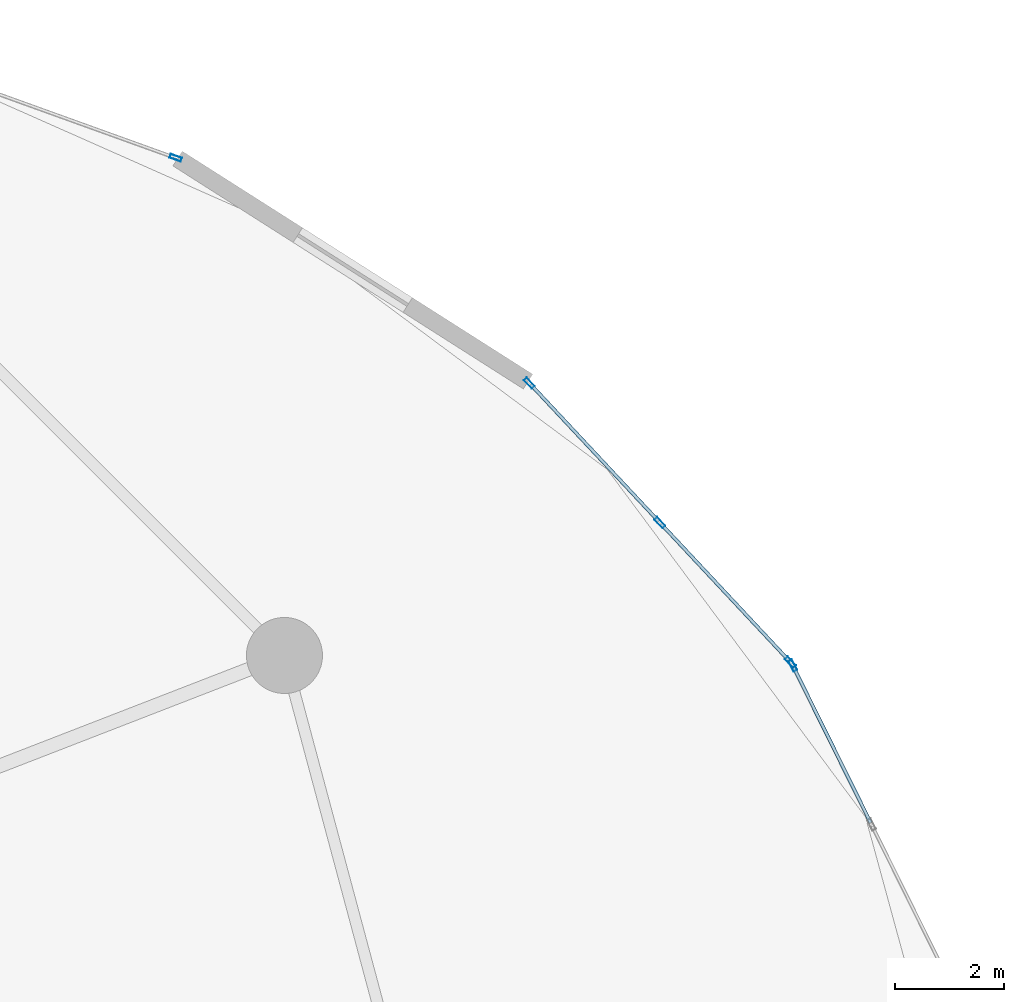
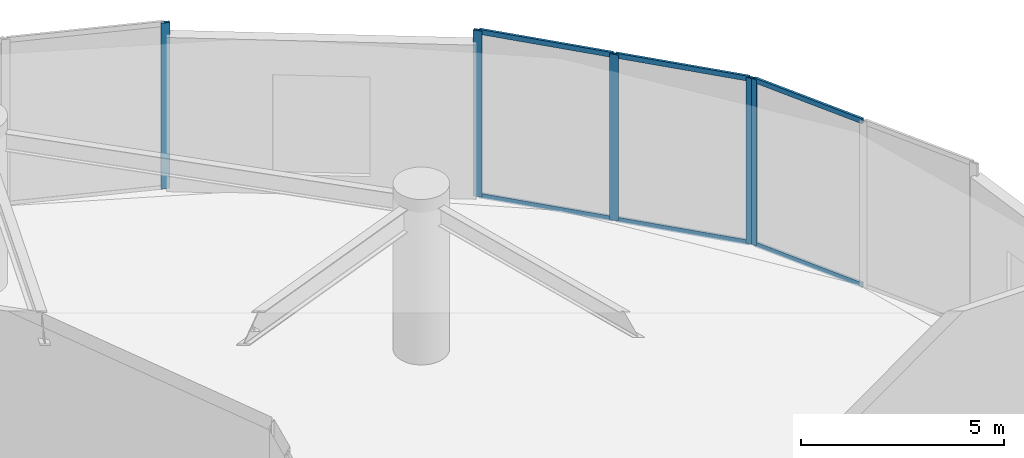
# One storey, part 21 of 31: 11 members, 3 elements without a shape of their own.
"""IFC4 building model written with IfcOpenShell, lengths in metres."""

from ifc_helpers import new_model, si_unit, direction, frame, origin, origin_2d, place, context, subcontext, project, spatial, hollow_rectangle, extrude, source, transform, mapped, material, layer, layer_set, material_profile, profile_set, type_object, element, aggregate, save


model = new_model("IFC4")

# Units and contexts
model_context = context("Model", 3, precision=1e-05, world=origin(), true_north=direction((0.0, 1.0)))
body_context = subcontext(model_context, "Body", "Model", "MODEL_VIEW")
ifc_project = project(units=[si_unit("LENGTHUNIT", "METRE"), si_unit("AREAUNIT", "SQUARE_METRE"), si_unit("VOLUMEUNIT", "CUBIC_METRE"), si_unit("PLANEANGLEUNIT", "RADIAN"), si_unit("MASSUNIT", "GRAM", prefix="KILO")], contexts=[model_context])

# Site, building, storey
site_placement = place(None, origin())
site = spatial("IfcSite", under=ifc_project, at=site_placement, CompositionType="ELEMENT")
building_placement = place(site_placement, origin())
building = spatial("IfcBuilding", under=site, at=building_placement, Name="Solvirekh Grand Hotel", CompositionType="ELEMENT")
storey_placement = place(building_placement, frame((0.0, 0.0, 18.60009765625)))
storey = spatial("IfcBuildingStorey", under=building, at=storey_placement, Name="L03", CompositionType="ELEMENT", Elevation=18.60009765625)

# Curtain wall, members
ifc_material = material(Name="Anodized Bronze Aluminium 6063-T6", Category="aluminium")
ifc_layer = layer(ifc_material, 0.219970703125)
ifc_layer_set = layer_set([ifc_layer], Name="Anodized Bronze Aluminium 6063-T6")
curtain_wall_type = type_object("IfcCurtainWallType", Name="CW_Sys1_PodiumBronzeUnitised", PredefinedType="NOTDEFINED", material=ifc_layer_set)
curtain_wall_1_placement = place(storey_placement, origin())
curtain_wall_1 = element("IfcCurtainWall", 1, at=curtain_wall_1_placement, inside=storey, type_object=curtain_wall_type, Name="L03 unitised bronze-glass curtain wall CW-L03-C02", PredefinedType="NOTDEFINED")
ifc_material_profile_1 = material_profile(ifc_material, hollow_rectangle(XDim=0.06494140625, YDim=0.14990234375, WallThickness=0.0048828125, at=origin_2d()), Name="ALU RHS 150X65X5")
ifc_profile_set_1 = profile_set([ifc_material_profile_1], Name="Anodized Bronze Aluminium 6063-T6")
member_type_1 = type_object("IfcMemberType", Name="CWTransom_Sys1", PredefinedType="USERDEFINED", material=ifc_profile_set_1)
shared_shape_1 = source(origin(), body_context, "Body", "SweptSolid", [
    extrude(hollow_rectangle(XDim=0.06494140625, YDim=0.14990234375, WallThickness=0.0048828125, at=origin_2d()), origin(), (0.0, 0.0, 1.0), 3.193603515625),
])
member_1_placement = place(storey_placement, frame((29.671875, 7.821044921875, 0.032470703125), z_axis=(-0.443846799093, 0.896102683254, 0.0), x_axis=(-0.896102683254, -0.443846799093, 0.0)))
member_1 = element("IfcMember", 2, at=member_1_placement, type_object=member_type_1, Name="U01 transom 2.1", ObjectType="TRANSOM", PredefinedType="USERDEFINED", context=body_context, shape_type="MappedRepresentation", body=[
    mapped(shared_shape_1, transform((0.0, 0.0, 0.0), x_axis=(1.0, 0.0, 0.0), y_axis=(0.0, 1.0, 0.0), z_axis=(0.0, 0.0, 1.0), scale=1.0)),
])
member_2_placement = place(storey_placement, frame((29.671875, 7.821044921875, 4.96728515625), z_axis=(-0.443846799093, 0.896102683254, 0.0), x_axis=(-0.896102683254, -0.443846799093, 0.0)))
member_2 = element("IfcMember", 3, at=member_2_placement, type_object=member_type_1, Name="U01 transom 2.2", ObjectType="TRANSOM", PredefinedType="USERDEFINED", context=body_context, shape_type="MappedRepresentation", body=[
    mapped(shared_shape_1, transform((0.0, 0.0, 0.0), x_axis=(1.0, 0.0, 0.0), y_axis=(0.0, 1.0, 0.0), z_axis=(0.0, 0.0, 1.0), scale=1.0)),
])

curtain_wall_2_placement = place(storey_placement, origin())
curtain_wall_2 = element("IfcCurtainWall", 4, at=curtain_wall_2_placement, inside=storey, type_object=curtain_wall_type, Name="L03 unitised bronze-glass curtain wall CW-L03-C03", PredefinedType="NOTDEFINED")
shared_shape_2 = source(origin(), body_context, "Body", "SweptSolid", [
    extrude(hollow_rectangle(XDim=0.06494140625, YDim=0.14990234375, WallThickness=0.0048828125, at=origin_2d()), origin(), (0.0, 0.0, 1.0), 3.443115234375),
])
member_3_placement = place(storey_placement, frame((28.169677734375, 10.8046875, 0.032470703125), z_axis=(-0.68313639099, 0.730290812831, 0.0), x_axis=(-0.730290812831, -0.68313639099, 0.0)))
member_3 = element("IfcMember", 5, at=member_3_placement, type_object=member_type_1, Name="U01 transom 1.1", ObjectType="TRANSOM", PredefinedType="USERDEFINED", context=body_context, shape_type="MappedRepresentation", body=[
    mapped(shared_shape_2, transform((0.0, 0.0, 0.0), x_axis=(1.0, 0.0, 0.0), y_axis=(0.0, 1.0, 0.0), z_axis=(0.0, 0.0, 1.0), scale=1.0)),
])
member_4_placement = place(storey_placement, frame((28.169677734375, 10.8046875, 4.96728515625), z_axis=(-0.68313639099, 0.730290812831, 0.0), x_axis=(-0.730290812831, -0.68313639099, 0.0)))
member_4 = element("IfcMember", 6, at=member_4_placement, type_object=member_type_1, Name="U01 transom 1.2", ObjectType="TRANSOM", PredefinedType="USERDEFINED", context=body_context, shape_type="MappedRepresentation", body=[
    mapped(shared_shape_2, transform((0.0, 0.0, 0.0), x_axis=(1.0, 0.0, 0.0), y_axis=(0.0, 1.0, 0.0), z_axis=(0.0, 0.0, 1.0), scale=1.0)),
])
member_5_placement = place(storey_placement, frame((25.766357421875, 13.373779296875, 0.032470703125), z_axis=(-0.68313639099, 0.730290812831, 0.0), x_axis=(-0.730290812831, -0.68313639099, 0.0)))
member_5 = element("IfcMember", 7, at=member_5_placement, type_object=member_type_1, Name="U01 transom 2.1", ObjectType="TRANSOM", PredefinedType="USERDEFINED", context=body_context, shape_type="MappedRepresentation", body=[
    mapped(shared_shape_2, transform((0.0, 0.0, 0.0), x_axis=(1.0, 0.0, 0.0), y_axis=(0.0, 1.0, 0.0), z_axis=(0.0, 0.0, 1.0), scale=1.0)),
])
member_6_placement = place(storey_placement, frame((25.766357421875, 13.373779296875, 4.96728515625), z_axis=(-0.68313639099, 0.730290812831, 0.0), x_axis=(-0.730290812831, -0.68313639099, 0.0)))
member_6 = element("IfcMember", 8, at=member_6_placement, type_object=member_type_1, Name="U01 transom 2.2", ObjectType="TRANSOM", PredefinedType="USERDEFINED", context=body_context, shape_type="MappedRepresentation", body=[
    mapped(shared_shape_2, transform((0.0, 0.0, 0.0), x_axis=(1.0, 0.0, 0.0), y_axis=(0.0, 1.0, 0.0), z_axis=(0.0, 0.0, 1.0), scale=1.0)),
])

# Member
ifc_material_profile_2 = material_profile(ifc_material, hollow_rectangle(XDim=0.074951171875, YDim=0.219970703125, WallThickness=0.006103515625, at=origin_2d()), Name="ALU RHS 220X75X6")
ifc_profile_set_2 = profile_set([ifc_material_profile_2], Name="Anodized Bronze Aluminium 6063-T6")
member_type_2 = type_object("IfcMemberType", Name="CWMullion_Sys1", PredefinedType="MULLION", material=ifc_profile_set_2)
shared_shape_3 = source(origin(), body_context, "Body", "SweptSolid", [
    extrude(hollow_rectangle(XDim=0.074951171875, YDim=0.219970703125, WallThickness=0.006103515625, at=origin_2d()), origin(), (0.0, 0.0, 1.0), 5.0),
])
member_7_placement = place(storey_placement, frame((28.237548828125, 10.71630859375, 0.0), z_axis=(0.0, 0.0, 1.0), x_axis=(-0.896084619407, -0.443883267157, 0.0)))
member_7 = element("IfcMember", 9, at=member_7_placement, type_object=member_type_2, Name="U01 mullion 3", PredefinedType="MULLION", context=body_context, shape_type="MappedRepresentation", body=[
    mapped(shared_shape_3, transform((0.0, 0.0, 0.0), x_axis=(1.0, 0.0, 0.0), y_axis=(0.0, 1.0, 0.0), z_axis=(0.0, 0.0, 1.0), scale=1.0)),
])

aggregate(curtain_wall_1, [member_7, member_1, member_2])

member_8_placement = place(storey_placement, frame((28.1953125, 10.77734375, 0.0), z_axis=(0.0, 0.0, 1.0), x_axis=(-0.730269150393, -0.683159547971, 0.0)))
member_8 = element("IfcMember", 10, at=member_8_placement, type_object=member_type_2, Name="U01 mullion 1", PredefinedType="MULLION", context=body_context, shape_type="MappedRepresentation", body=[
    mapped(shared_shape_3, transform((0.0, 0.0, 0.0), x_axis=(1.0, 0.0, 0.0), y_axis=(0.0, 1.0, 0.0), z_axis=(0.0, 0.0, 1.0), scale=1.0)),
])

member_9_placement = place(storey_placement, frame((25.7919921875, 13.346435546875, 0.0), z_axis=(0.0, 0.0, 1.0), x_axis=(-0.730269150393, -0.683159547971, 0.0)))
member_9 = element("IfcMember", 11, at=member_9_placement, type_object=member_type_2, Name="U01 mullion 2", PredefinedType="MULLION", context=body_context, shape_type="MappedRepresentation", body=[
    mapped(shared_shape_3, transform((0.0, 0.0, 0.0), x_axis=(1.0, 0.0, 0.0), y_axis=(0.0, 1.0, 0.0), z_axis=(0.0, 0.0, 1.0), scale=1.0)),
])

member_10_placement = place(storey_placement, frame((23.388671875, 15.91552734375, 0.0), z_axis=(0.0, 0.0, 1.0), x_axis=(-0.730269150393, -0.683159547971, 0.0)))
member_10 = element("IfcMember", 12, at=member_10_placement, type_object=member_type_2, Name="U01 mullion 3", PredefinedType="MULLION", context=body_context, shape_type="MappedRepresentation", body=[
    mapped(shared_shape_3, transform((0.0, 0.0, 0.0), x_axis=(1.0, 0.0, 0.0), y_axis=(0.0, 1.0, 0.0), z_axis=(0.0, 0.0, 1.0), scale=1.0)),
])

aggregate(curtain_wall_2, [member_8, member_9, member_10, member_3, member_4, member_5, member_6])

# Curtain wall, member
curtain_wall_3_placement = place(storey_placement, origin())
curtain_wall_3 = element("IfcCurtainWall", 13, at=curtain_wall_3_placement, inside=storey, type_object=curtain_wall_type, Name="L03 unitised bronze-glass curtain wall CW-L03-C05", PredefinedType="NOTDEFINED")
member_11_placement = place(storey_placement, frame((16.876708984375, 20.061767578125, 0.0), z_axis=(0.0, 0.0, 1.0), x_axis=(-0.339039307019, -0.940772208505, 0.0)))
member_11 = element("IfcMember", 14, at=member_11_placement, type_object=member_type_2, Name="U01 mullion 1", PredefinedType="MULLION", context=body_context, shape_type="MappedRepresentation", body=[
    mapped(shared_shape_3, transform((0.0, 0.0, 0.0), x_axis=(1.0, 0.0, 0.0), y_axis=(0.0, 1.0, 0.0), z_axis=(0.0, 0.0, 1.0), scale=1.0)),
])
aggregate(curtain_wall_3, [member_11])

save(model, "model.ifc")
